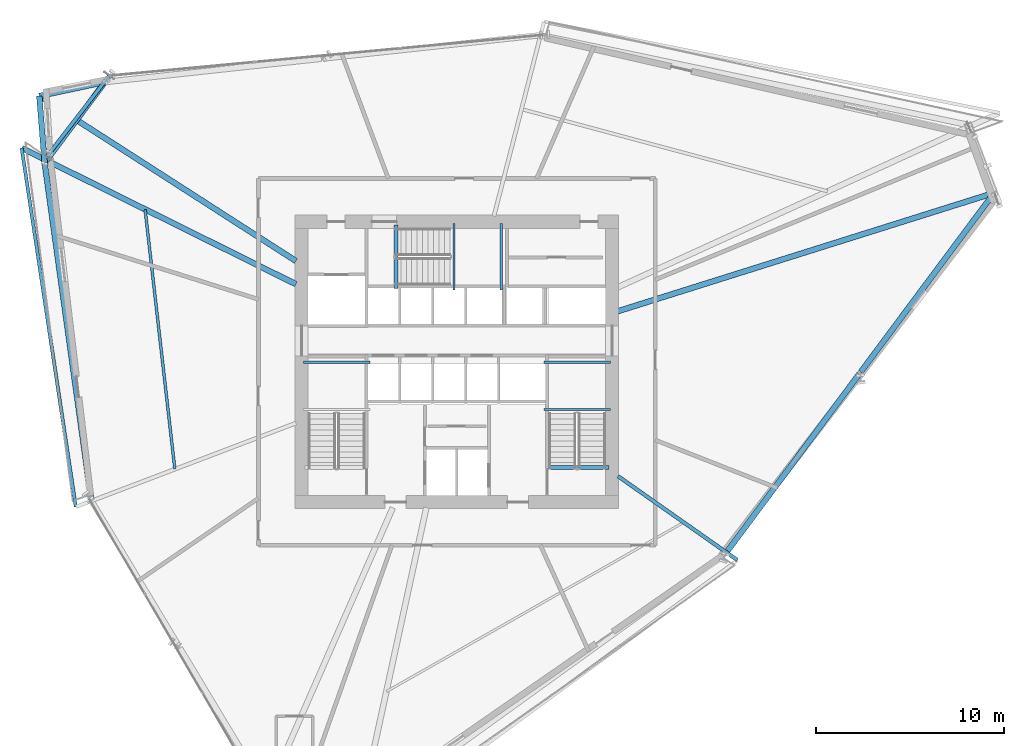
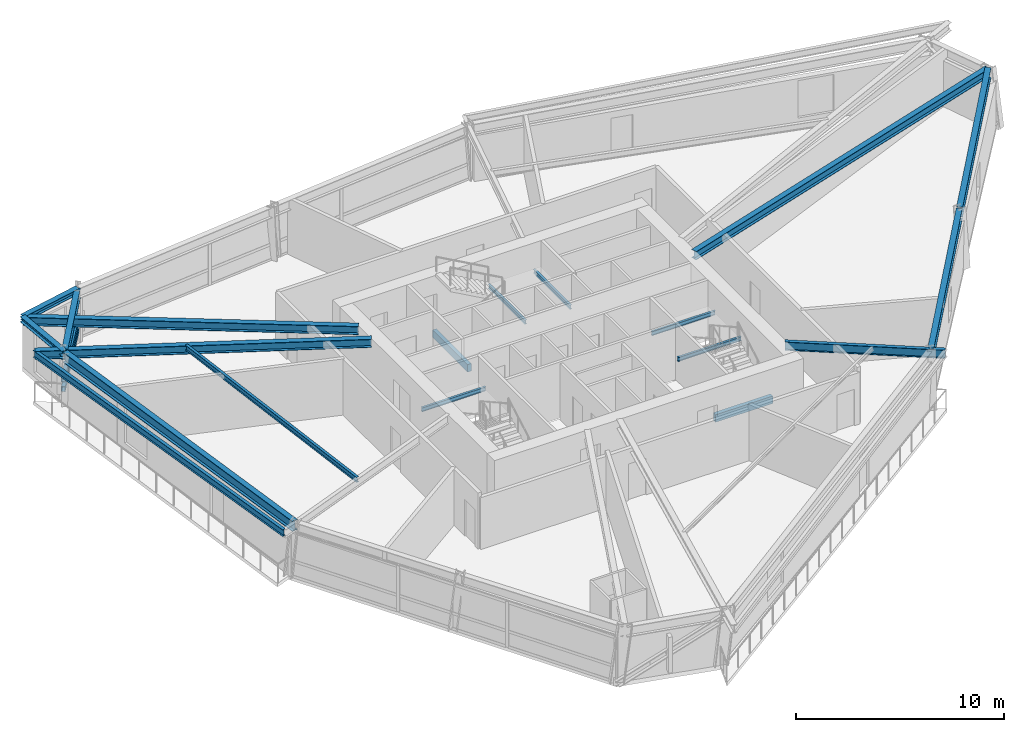
# One storey, part 5 of 17: 19 beams, 2 members.
"""IFC4 building model written with IfcOpenShell, lengths in metres."""

from ifc_helpers import new_model, si_unit, direction, frame, origin, origin_2d, place, context, subcontext, project, spatial, rectangle, hollow_rectangle, i_section, extrude, source, transform, mapped, material, material_profile, profile_set, type_object, element, save


model = new_model("IFC4")

# Units and contexts
model_context = context("Model", 3, precision=1e-05, world=origin(), true_north=direction((0.0, 1.0)))
body_context = subcontext(model_context, "Body", "Model", "MODEL_VIEW")
ifc_project = project(units=[si_unit("LENGTHUNIT", "METRE"), si_unit("AREAUNIT", "SQUARE_METRE"), si_unit("VOLUMEUNIT", "CUBIC_METRE"), si_unit("PLANEANGLEUNIT", "RADIAN"), si_unit("MASSUNIT", "GRAM", prefix="KILO")], contexts=[model_context])

# Site, building, storey
site_placement = place(None, origin())
site = spatial("IfcSite", under=ifc_project, at=site_placement, CompositionType="ELEMENT")
building_placement = place(site_placement, origin())
building = spatial("IfcBuilding", under=site, at=building_placement, Name="Olszyna Solenne Hotel", CompositionType="ELEMENT")
storey_placement = place(building_placement, frame((0.0, 0.0, 116.35009765625)))
storey = spatial("IfcBuildingStorey", under=building, at=storey_placement, Name="L30", CompositionType="ELEMENT", Elevation=116.35009765625)

# Beams
ifc_material_1 = material(Name="Steel S355J2", Category="steel")
ifc_material_profile_1 = material_profile(ifc_material_1, i_section(OverallWidth=0.300048828125, OverallDepth=0.60009765625, WebThickness=0.015380859375, FlangeThickness=0.030029296875, at=origin_2d()), Name="HEB 600", Category="load-bearing")
ifc_profile_set_1 = profile_set([ifc_material_profile_1], Name="Steel S355J2")
beam_type_1 = type_object("IfcBeamType", Name="BM-S2", PredefinedType="BEAM", material=ifc_profile_set_1)
shared_shape_1 = source(origin(), body_context, "Body", "SweptSolid", [
    extrude(i_section(OverallWidth=0.300048828125, OverallDepth=0.60009765625, WebThickness=0.015380859375, FlangeThickness=0.030029296875, at=origin_2d()), origin(), (0.0, 0.0, 1.0), 5.237060546875),
])
beam_1_placement = place(storey_placement, frame((19.255615234375, 41.427490234375, 3.0), z_axis=(-0.597580648019, -0.801808810823, 0.0), x_axis=(0.801808810823, -0.597580648019, 0.0)))
element("IfcBeam", 1, at=beam_1_placement, inside=storey, type_object=beam_type_1, Name="Perimeter spandrel beam BM-S2 B-L30-0902", PredefinedType="BEAM", context=body_context, shape_type="MappedRepresentation", body=[
    mapped(shared_shape_1, transform((0.0, 0.0, 0.0), x_axis=(1.0, 0.0, 0.0), y_axis=(0.0, 1.0, 0.0), z_axis=(0.0, 0.0, 1.0), scale=1.0)),
])
shared_shape_2 = source(origin(), body_context, "Body", "SweptSolid", [
    extrude(i_section(OverallWidth=0.300048828125, OverallDepth=0.60009765625, WebThickness=0.015380859375, FlangeThickness=0.030029296875, at=origin_2d()), origin(), (0.0, 0.0, 1.0), 18.02099609375),
])
beam_2_placement = place(storey_placement, frame((16.09814453125, 37.12060546875, 3.0), z_axis=(0.137061439872, -0.990562548101, 0.0), x_axis=(0.990562548101, 0.137061439872, 0.0)))
element("IfcBeam", 2, at=beam_2_placement, inside=storey, type_object=beam_type_1, Name="Perimeter spandrel beam BM-S2 B-L30-0903", PredefinedType="BEAM", context=body_context, shape_type="MappedRepresentation", body=[
    mapped(shared_shape_2, transform((0.0, 0.0, 0.0), x_axis=(1.0, 0.0, 0.0), y_axis=(0.0, 1.0, 0.0), z_axis=(0.0, 0.0, 1.0), scale=1.0)),
])
shared_shape_3 = source(origin(), body_context, "Body", "SweptSolid", [
    extrude(i_section(OverallWidth=0.300048828125, OverallDepth=0.60009765625, WebThickness=0.015380859375, FlangeThickness=0.030029296875, at=origin_2d()), origin(), (0.0, 0.0, 1.0), 11.8076171875),
])
beam_3_placement = place(storey_placement, frame((52.344970703125, 16.4970703125, 3.0), z_axis=(0.597263882048, 0.802044796256, 0.0), x_axis=(-0.802044796256, 0.597263882048, 0.0)))
element("IfcBeam", 3, at=beam_3_placement, inside=storey, type_object=beam_type_1, Name="Perimeter spandrel beam BM-S2 B-L30-0908", PredefinedType="BEAM", context=body_context, shape_type="MappedRepresentation", body=[
    mapped(shared_shape_3, transform((0.0, 0.0, 0.0), x_axis=(1.0, 0.0, 0.0), y_axis=(0.0, 1.0, 0.0), z_axis=(0.0, 0.0, 1.0), scale=1.0)),
])
shared_shape_4 = source(origin(), body_context, "Body", "SweptSolid", [
    extrude(i_section(OverallWidth=0.300048828125, OverallDepth=0.60009765625, WebThickness=0.015380859375, FlangeThickness=0.030029296875, at=origin_2d()), origin(), (0.0, 0.0, 1.0), 11.807373046875),
])
beam_4_placement = place(storey_placement, frame((59.46875, 26.0634765625, 3.0), z_axis=(0.597250581053, 0.802054701022, 0.0), x_axis=(-0.802054701022, 0.597250581053, 0.0)))
element("IfcBeam", 4, at=beam_4_placement, inside=storey, type_object=beam_type_1, Name="Perimeter spandrel beam BM-S2 B-L30-0909", PredefinedType="BEAM", context=body_context, shape_type="MappedRepresentation", body=[
    mapped(shared_shape_4, transform((0.0, 0.0, 0.0), x_axis=(1.0, 0.0, 0.0), y_axis=(0.0, 1.0, 0.0), z_axis=(0.0, 0.0, 1.0), scale=1.0)),
])
ifc_material_profile_2 = material_profile(ifc_material_1, i_section(OverallWidth=0.300048828125, OverallDepth=0.489990234375, WebThickness=0.011962890625, FlangeThickness=0.02294921875, at=origin_2d()), Name="HEA 500", Category="load-bearing")
ifc_profile_set_2 = profile_set([ifc_material_profile_2], Name="Steel S355J2")
beam_type_2 = type_object("IfcBeamType", Name="BM-G1", PredefinedType="BEAM", material=ifc_profile_set_2)
shared_shape_5 = source(origin(), body_context, "Body", "SweptSolid", [
    extrude(i_section(OverallWidth=0.300048828125, OverallDepth=0.489990234375, WebThickness=0.011962890625, FlangeThickness=0.02294921875, at=origin_2d()), origin(), (0.0, 0.0, 1.0), 20.91064453125),
])
beam_5_placement = place(storey_placement, frame((66.49951171875, 35.563720703125, 3.054931640625), z_axis=(-0.953928238972, -0.300034856128, 0.0), x_axis=(0.300034856128, -0.953928238972, 0.0)))
element("IfcBeam", 5, at=beam_5_placement, inside=storey, type_object=beam_type_2, Name="Radial floor girder BM-G1 B-L30-0910", PredefinedType="BEAM", context=body_context, shape_type="MappedRepresentation", body=[
    mapped(shared_shape_5, transform((0.0, 0.0, 0.0), x_axis=(1.0, 0.0, 0.0), y_axis=(0.0, 1.0, 0.0), z_axis=(0.0, 0.0, 1.0), scale=1.0)),
])
shared_shape_6 = source(origin(), body_context, "Body", "SweptSolid", [
    extrude(i_section(OverallWidth=0.300048828125, OverallDepth=0.489990234375, WebThickness=0.011962890625, FlangeThickness=0.02294921875, at=origin_2d()), origin(), (0.0, 0.0, 1.0), 16.192138671875),
])
beam_6_placement = place(storey_placement, frame((15.8232421875, 40.721435546875, 3.054931640625), z_axis=(0.841090284575, -0.540894752418, 0.0), x_axis=(0.540894752418, 0.841090284575, 0.0)))
element("IfcBeam", 6, at=beam_6_placement, inside=storey, type_object=beam_type_2, Name="Radial floor girder BM-G1 B-L30-0913", PredefinedType="BEAM", context=body_context, shape_type="MappedRepresentation", body=[
    mapped(shared_shape_6, transform((0.0, 0.0, 0.0), x_axis=(1.0, 0.0, 0.0), y_axis=(0.0, 1.0, 0.0), z_axis=(0.0, 0.0, 1.0), scale=1.0)),
])
shared_shape_7 = source(origin(), body_context, "Body", "SweptSolid", [
    extrude(i_section(OverallWidth=0.300048828125, OverallDepth=0.489990234375, WebThickness=0.011962890625, FlangeThickness=0.02294921875, at=origin_2d()), origin(), (0.0, 0.0, 1.0), 16.252685546875),
])
beam_7_placement = place(storey_placement, frame((14.88671875, 37.956298828125, 3.054931640625), z_axis=(0.895754145582, -0.444549784246, 0.0), x_axis=(0.444549784246, 0.895754145582, 0.0)))
element("IfcBeam", 7, at=beam_7_placement, inside=storey, type_object=beam_type_2, Name="Radial floor girder BM-G1 B-L30-0914", PredefinedType="BEAM", context=body_context, shape_type="MappedRepresentation", body=[
    mapped(shared_shape_7, transform((0.0, 0.0, 0.0), x_axis=(1.0, 0.0, 0.0), y_axis=(0.0, 1.0, 0.0), z_axis=(0.0, 0.0, 1.0), scale=1.0)),
])
ifc_material_profile_3 = material_profile(ifc_material_1, i_section(OverallWidth=0.199951171875, OverallDepth=0.5, WebThickness=0.01025390625, FlangeThickness=0.01611328125, at=origin_2d()), Name="IPE 500", Category="load-bearing")
ifc_profile_set_3 = profile_set([ifc_material_profile_3], Name="Steel S355J2")
beam_type_3 = type_object("IfcBeamType", Name="BM-F3", PredefinedType="BEAM", material=ifc_profile_set_3)
shared_shape_8 = source(origin(), body_context, "Body", "SweptSolid", [
    extrude(i_section(OverallWidth=0.199951171875, OverallDepth=0.5, WebThickness=0.01025390625, FlangeThickness=0.01611328125, at=origin_2d()), origin(), (0.0, 0.0, 1.0), 7.755126953125),
])
beam_8_placement = place(storey_placement, frame((52.9033203125, 16.06787109375, 3.0498046875), z_axis=(-0.818064798574, 0.575126060385, 0.0), x_axis=(-0.575126060385, -0.818064798574, 0.0)))
element("IfcBeam", 8, at=beam_8_placement, inside=storey, type_object=beam_type_3, Name="Radial floor girder BM-F3 B-L30-0918", PredefinedType="BEAM", context=body_context, shape_type="MappedRepresentation", body=[
    mapped(shared_shape_8, transform((0.0, 0.0, 0.0), x_axis=(1.0, 0.0, 0.0), y_axis=(0.0, 1.0, 0.0), z_axis=(0.0, 0.0, 1.0), scale=1.0)),
])
ifc_material_profile_4 = material_profile(ifc_material_1, i_section(OverallWidth=0.300048828125, OverallDepth=0.31005859375, WebThickness=0.009033203125, FlangeThickness=0.015380859375, at=origin_2d()), Name="HEA 320", Category="load-bearing")
ifc_profile_set_4 = profile_set([ifc_material_profile_4], Name="Steel S355J2")
beam_type_4 = type_object("IfcBeamType", Name="BM-G3", PredefinedType="BEAM", material=ifc_profile_set_4)
shared_shape_9 = source(origin(), body_context, "Body", "SweptSolid", [
    extrude(i_section(OverallWidth=0.300048828125, OverallDepth=0.31005859375, WebThickness=0.009033203125, FlangeThickness=0.015380859375, at=origin_2d()), origin(), (0.0, 0.0, 1.0), 3.5634765625),
])
beam_9_placement = place(storey_placement, frame((19.29150390625, 41.4755859375, 3.14501953125), z_axis=(-0.977997496014, -0.208616628747, 0.0), x_axis=(0.208616628747, -0.977997496014, 0.0)))
element("IfcBeam", 9, at=beam_9_placement, inside=storey, type_object=beam_type_4, Name="Prism side edge beam BM-G3 B-L30-0919", PredefinedType="BEAM", context=body_context, shape_type="MappedRepresentation", body=[
    mapped(shared_shape_9, transform((0.0, 0.0, 0.0), x_axis=(1.0, 0.0, 0.0), y_axis=(0.0, 1.0, 0.0), z_axis=(0.0, 0.0, 1.0), scale=1.0)),
])
shared_shape_10 = source(origin(), body_context, "Body", "SweptSolid", [
    extrude(i_section(OverallWidth=0.300048828125, OverallDepth=0.31005859375, WebThickness=0.009033203125, FlangeThickness=0.015380859375, at=origin_2d()), origin(), (0.0, 0.0, 1.0), 3.563232421875),
])
beam_10_placement = place(storey_placement, frame((16.090087890625, 37.18017578125, 3.14501953125), z_axis=(-0.079614509226, 0.996825726956, 0.0), x_axis=(-0.996825726956, -0.079614509226, 0.0)))
element("IfcBeam", 10, at=beam_10_placement, inside=storey, type_object=beam_type_4, Name="Prism side edge beam BM-G3 B-L30-0920", PredefinedType="BEAM", context=body_context, shape_type="MappedRepresentation", body=[
    mapped(shared_shape_10, transform((0.0, 0.0, 0.0), x_axis=(1.0, 0.0, 0.0), y_axis=(0.0, 1.0, 0.0), z_axis=(0.0, 0.0, 1.0), scale=1.0)),
])
ifc_material_profile_5 = material_profile(ifc_material_1, i_section(OverallWidth=0.14990234375, OverallDepth=0.300048828125, WebThickness=0.007080078125, FlangeThickness=0.0107421875, at=origin_2d()), Name="IPE 300", Category="load-bearing")
ifc_profile_set_5 = profile_set([ifc_material_profile_5], Name="Steel S355J2")
beam_type_5 = type_object("IfcBeamType", Name="JS-02", PredefinedType="JOIST", material=ifc_profile_set_5)
shared_shape_11 = source(origin(), body_context, "Body", "SweptSolid", [
    extrude(i_section(OverallWidth=0.14990234375, OverallDepth=0.300048828125, WebThickness=0.007080078125, FlangeThickness=0.0107421875, at=origin_2d()), origin(), (0.0, 0.0, 1.0), 13.865234375),
])
beam_11_placement = place(storey_placement, frame((21.430419921875, 34.68994140625, 3.14990234375), z_axis=(0.113836104837, -0.993499542645, 0.0), x_axis=(0.993499542645, 0.113836104837, 0.0)))
element("IfcBeam", 11, at=beam_11_placement, inside=storey, type_object=beam_type_5, Name="Secondary composite floor joist JS-02 B-L30-0922", PredefinedType="JOIST", context=body_context, shape_type="MappedRepresentation", body=[
    mapped(shared_shape_11, transform((0.0, 0.0, 0.0), x_axis=(1.0, 0.0, 0.0), y_axis=(0.0, 1.0, 0.0), z_axis=(0.0, 0.0, 1.0), scale=1.0)),
])
ifc_material_profile_6 = material_profile(ifc_material_1, i_section(OverallWidth=0.179931640625, OverallDepth=0.39990234375, WebThickness=0.008544921875, FlangeThickness=0.013427734375, at=origin_2d()), Name="IPE 400", Category="load-bearing")
ifc_profile_set_6 = profile_set([ifc_material_profile_6], Name="Steel S355J2")
beam_type_6 = type_object("IfcBeamType", Name="BM-F5", PredefinedType="BEAM", material=ifc_profile_set_6)
shared_shape_12 = source(origin(), body_context, "Body", "SweptSolid", [
    extrude(i_section(OverallWidth=0.179931640625, OverallDepth=0.39990234375, WebThickness=0.008544921875, FlangeThickness=0.013427734375, at=origin_2d()), origin(), (0.0, 0.0, 1.0), 19.291259765625),
])
beam_12_placement = place(storey_placement, frame((14.868896484375, 37.965087890625, 3.099853515625), z_axis=(0.149118916959, -0.98881926994, 0.0), x_axis=(0.98881926994, 0.149118916959, 0.0)))
element("IfcBeam", 12, at=beam_12_placement, inside=storey, type_object=beam_type_6, Name="Loggia outer edge beam BM-F5 B-L30-0925", PredefinedType="BEAM", context=body_context, shape_type="MappedRepresentation", body=[
    mapped(shared_shape_12, transform((0.0, 0.0, 0.0), x_axis=(1.0, 0.0, 0.0), y_axis=(0.0, 1.0, 0.0), z_axis=(0.0, 0.0, 1.0), scale=1.0)),
])

# Members
ifc_material_profile_7 = material_profile(ifc_material_1, hollow_rectangle(XDim=0.199951171875, YDim=0.300048828125, WallThickness=0.01611328125, at=origin_2d()), Name="RHS 300x200x16", Category="load-bearing")
ifc_profile_set_7 = profile_set([ifc_material_profile_7], Name="Steel S355J2")
member_type = type_object("IfcMemberType", Name="CH-PR1", PredefinedType="CHORD", material=ifc_profile_set_7)
shared_shape_13 = source(origin(), body_context, "Body", "SweptSolid", [
    extrude(hollow_rectangle(XDim=0.199951171875, YDim=0.300048828125, WallThickness=0.01611328125, at=origin_2d()), origin(), (0.0, 0.0, 1.0), 5.410400390625),
])
for number, where, z_axis, x_axis, name in (
    (13, (19.515380859375, 41.80419921875, 1.349853515625), (-0.610131559514, -0.792300119958, 0.0), (0.792300119958, -0.610131559514, 0.0), "Glass-prism tie chord CH-PR1 M-L30-PR1"),
    (14, (19.515380859375, 41.80419921875, 0.77978515625), (-0.610131559514, -0.792300119958, 0.0), (0.792300119958, -0.610131559514, 0.0), "Glass-prism tie chord CH-PR1 M-L30-PR2"),
):
    element("IfcMember", number, at=place(storey_placement, frame(where, z_axis=z_axis, x_axis=x_axis)), inside=storey, type_object=member_type, Name=name, PredefinedType="CHORD", context=body_context, shape_type="MappedRepresentation", body=[
        mapped(shared_shape_13, transform((0.0, 0.0, 0.0), x_axis=(1.0, 0.0, 0.0), y_axis=(0.0, 1.0, 0.0), z_axis=(0.0, 0.0, 1.0), scale=1.0)),
    ])

# Beams
ifc_material_profile_8 = material_profile(ifc_material_1, i_section(OverallWidth=0.1201171875, OverallDepth=0.239990234375, WebThickness=0.006103515625, FlangeThickness=0.009765625, at=origin_2d()), Name="IPE 240", Category="load-bearing")
ifc_profile_set_8 = profile_set([ifc_material_profile_8], Name="Steel S355J2")
beam_type_7 = type_object("IfcBeamType", Name="JS-03", PredefinedType="JOIST", material=ifc_profile_set_8)
shared_shape_14 = source(origin(), body_context, "Body", "SweptSolid", [
    extrude(i_section(OverallWidth=0.1201171875, OverallDepth=0.239990234375, WebThickness=0.006103515625, FlangeThickness=0.009765625, at=origin_2d()), origin(), (0.0, 0.0, 1.0), 3.539794921875),
])
for number, where, z_axis, x_axis, name in (
    (15, (33.3798828125, 26.580078125, 1.449951171875), (-1.0, 0.0, 0.0), (0.0, -1.0, 0.0), "Stair landing support beam JS-03 SLB-ST1-0066"),
    (16, (46.159912109375, 24.070068359375, 1.449951171875), (-1.0, 0.0, 0.0), (0.0, -1.0, 0.0), "Stair landing support beam JS-03 SLB-ST2-0305"),
    (17, (46.159912109375, 26.580078125, 1.449951171875), (-1.0, 0.0, 0.0), (0.0, -1.0, 0.0), "Stair landing support beam JS-03 SLB-ST2-0306"),
):
    element("IfcBeam", number, at=place(storey_placement, frame(where, z_axis=z_axis, x_axis=x_axis)), inside=storey, type_object=beam_type_7, Name=name, PredefinedType="JOIST", context=body_context, shape_type="MappedRepresentation", body=[
        mapped(shared_shape_14, transform((0.0, 0.0, 0.0), x_axis=(1.0, 0.0, 0.0), y_axis=(0.0, 1.0, 0.0), z_axis=(0.0, 0.0, 1.0), scale=1.0)),
    ])
ifc_material_2 = material(Name="Concrete C50/60", Category="concrete")
ifc_material_profile_9 = material_profile(ifc_material_2, rectangle(XDim=0.219970703125, YDim=0.43994140625, at=origin_2d()), Name="RC 220x440", Category="load-bearing")
ifc_profile_set_9 = profile_set([ifc_material_profile_9], Name="Concrete C50/60")
beam_type_8 = type_object("IfcBeamType", Name="BM-ST1", PredefinedType="BEAM", material=ifc_profile_set_9)
shared_shape_15 = source(origin(), body_context, "Body", "SweptSolid", [
    extrude(rectangle(XDim=0.219970703125, YDim=0.43994140625, at=origin_2d()), origin(), (0.0, 0.0, 1.0), 3.18017578125),
])
beam_13_placement = place(storey_placement, frame((46.080078125, 20.97998046875, -0.205078125), z_axis=(-1.0, 0.0, 0.0), x_axis=(0.0, -1.0, 0.0)))
element("IfcBeam", 18, at=beam_13_placement, inside=storey, type_object=beam_type_8, Name="Concrete stair trimmer beam BM-ST1 SHB-ST2-0432", PredefinedType="BEAM", context=body_context, shape_type="MappedRepresentation", body=[
    mapped(shared_shape_15, transform((0.0, 0.0, 0.0), x_axis=(1.0, 0.0, 0.0), y_axis=(0.0, 1.0, 0.0), z_axis=(0.0, 0.0, 1.0), scale=1.0)),
])
shared_shape_16 = source(origin(), body_context, "Body", "SweptSolid", [
    extrude(i_section(OverallWidth=0.1201171875, OverallDepth=0.239990234375, WebThickness=0.006103515625, FlangeThickness=0.009765625, at=origin_2d()), origin(), (0.0, 0.0, 1.0), 3.5400390625),
])
for number, where, z_axis, x_axis, name in (
    (19, (37.85009765625, 30.419921875, 1.449951171875), (0.0, 1.0, 0.0), (-1.0, 0.0, 0.0), "Stair landing support beam JS-03 SLB-ST3-0545"),
    (20, (40.360107421875, 30.419921875, 1.449951171875), (0.0, 1.0, 0.0), (-1.0, 0.0, 0.0), "Stair landing support beam JS-03 SLB-ST3-0546"),
):
    element("IfcBeam", number, at=place(storey_placement, frame(where, z_axis=z_axis, x_axis=x_axis)), inside=storey, type_object=beam_type_7, Name=name, PredefinedType="JOIST", context=body_context, shape_type="MappedRepresentation", body=[
        mapped(shared_shape_16, transform((0.0, 0.0, 0.0), x_axis=(1.0, 0.0, 0.0), y_axis=(0.0, 1.0, 0.0), z_axis=(0.0, 0.0, 1.0), scale=1.0)),
    ])
shared_shape_17 = source(origin(), body_context, "Body", "SweptSolid", [
    extrude(rectangle(XDim=0.219970703125, YDim=0.43994140625, at=origin_2d()), origin(), (0.0, 0.0, 1.0), 3.3798828125),
])
beam_14_placement = place(storey_placement, frame((34.760009765625, 30.5, -0.205078125), z_axis=(0.0, 1.0, 0.0), x_axis=(-1.0, 0.0, 0.0)))
element("IfcBeam", 21, at=beam_14_placement, inside=storey, type_object=beam_type_8, Name="Concrete stair trimmer beam BM-ST1 SHB-ST3-0670", PredefinedType="BEAM", context=body_context, shape_type="MappedRepresentation", body=[
    mapped(shared_shape_17, transform((0.0, 0.0, 0.0), x_axis=(1.0, 0.0, 0.0), y_axis=(0.0, 1.0, 0.0), z_axis=(0.0, 0.0, 1.0), scale=1.0)),
])

save(model, "model.ifc")
